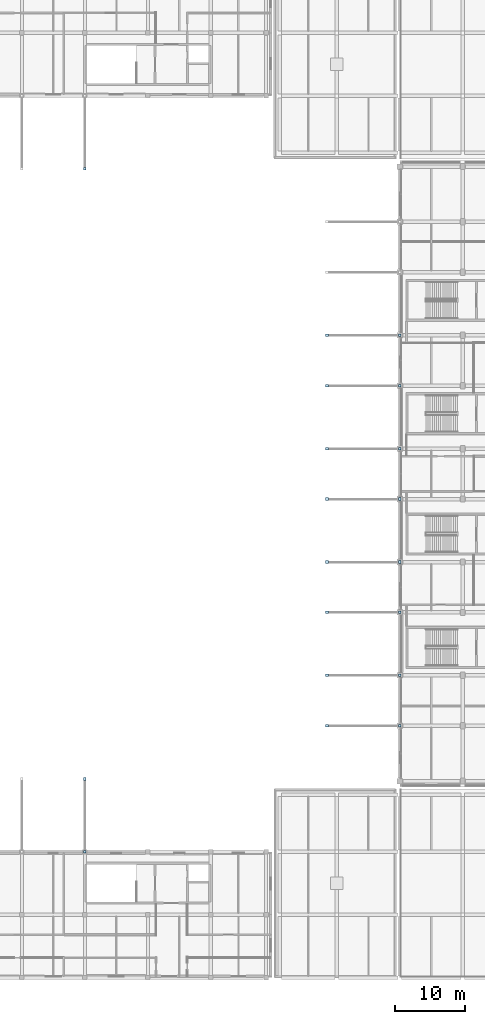
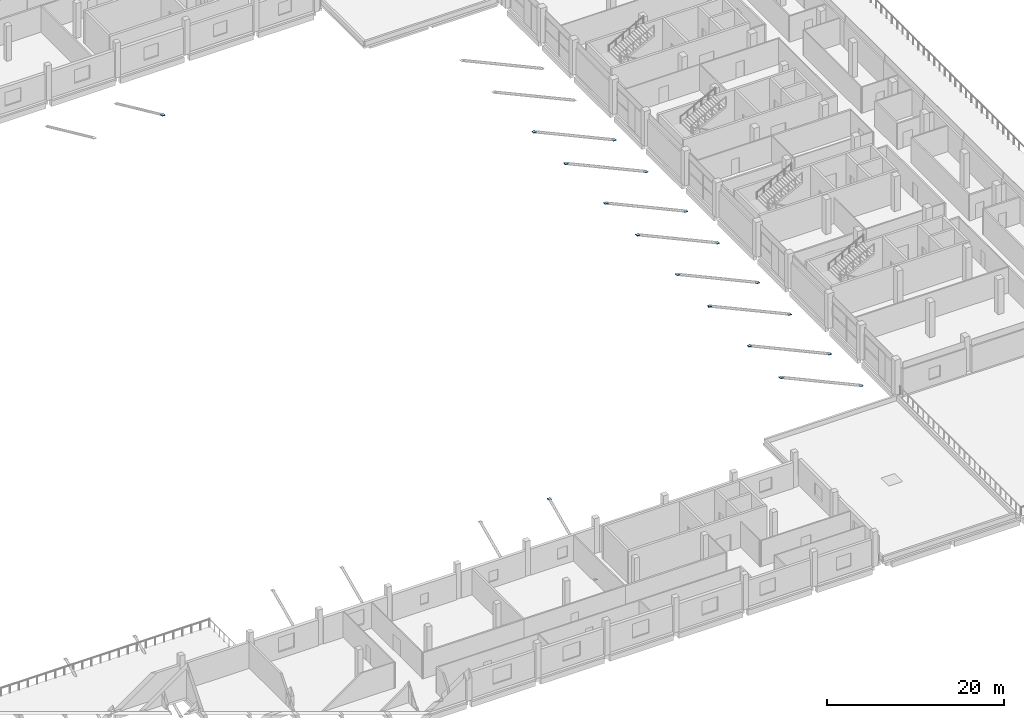
# One storey, part 44 of 82: 19 plates.
"""IFC4 building model written with IfcOpenShell, lengths in metres."""

from ifc_helpers import new_model, si_unit, direction, frame, origin, origin_2d, place, context, subcontext, project, spatial, rectangle, extrude, material, layer, layer_set, type_object, element, save


model = new_model("IFC4")

# Units and contexts
model_context = context("Model", 3, precision=1e-05, world=origin(), true_north=direction((0.0, 1.0)))
body_context = subcontext(model_context, "Body", "Model", "MODEL_VIEW")
ifc_project = project(units=[si_unit("LENGTHUNIT", "METRE"), si_unit("AREAUNIT", "SQUARE_METRE"), si_unit("VOLUMEUNIT", "CUBIC_METRE"), si_unit("PLANEANGLEUNIT", "RADIAN"), si_unit("MASSUNIT", "GRAM", prefix="KILO"), si_unit("THERMODYNAMICTEMPERATUREUNIT", "KELVIN"), si_unit("POWERUNIT", "WATT")], contexts=[model_context])

# Site, building, storey
site_placement = place(None, origin())
site = spatial("IfcSite", under=ifc_project, at=site_placement, CompositionType="ELEMENT")
building_placement = place(site_placement, origin())
building = spatial("IfcBuilding", under=site, at=building_placement, Name="Sindhuravela Promenade Stadium", CompositionType="ELEMENT")
storey_placement = place(building_placement, frame((0.0, 0.0, 14.39990234375)))
storey = spatial("IfcBuildingStorey", under=building, at=storey_placement, Name="L03", CompositionType="ELEMENT", Elevation=14.39990234375)

# Plates
ifc_material = material(Name="Steel E350 (IS 2062 E350BR)", Category="steel")
ifc_layer = layer(ifc_material, 0.033935546875)
ifc_layer_set = layer_set([ifc_layer], Name="Steel E350 (IS 2062 E350BR)")
plate_type = type_object("IfcPlateType", Name="ST-PL-CAP34", PredefinedType="USERDEFINED", material=ifc_layer_set)
for number, where, z_axis, x_axis, name in (
    (1, (180.0, 45.0, -3.81689453125), (0.0, 0.0, 1.0), (1.0, 0.0, 0.0), "Hollow strut end cap plate CP02 3A"),
    (2, (169.60009765625, 45.0, 0.93310546875), (0.0, 0.0, 1.0), (1.0, 0.0, 0.0), "Hollow strut end cap plate CP02 4B"),
    (3, (180.0, 52.199951171875, -3.81689453125), (0.0, 0.0, 1.0), (1.0, 0.0, 0.0), "Hollow strut end cap plate CP02 7A"),
    (4, (169.60009765625, 52.199951171875, 0.93310546875), (0.0, 0.0, 1.0), (1.0, 0.0, 0.0), "Hollow strut end cap plate CP02 8B"),
    (5, (180.0, 61.199951171875, -3.81689453125), (0.0, 0.0, 1.0), (1.0, 0.0, 0.0), "Hollow strut end cap plate CP02 11A"),
    (6, (169.60009765625, 61.199951171875, 0.93310546875), (0.0, 0.0, 1.0), (1.0, 0.0, 0.0), "Hollow strut end cap plate CP02 12B"),
    (7, (180.0, 68.39990234375, -3.81689453125), (0.0, 0.0, 1.0), (1.0, 0.0, 0.0), "Hollow strut end cap plate CP02 15A"),
    (8, (169.60009765625, 68.39990234375, 0.93310546875), (0.0, 0.0, 1.0), (1.0, 0.0, 0.0), "Hollow strut end cap plate CP02 16B"),
    (9, (180.0, 77.39990234375, -3.81689453125), (0.0, 0.0, 1.0), (1.0, 0.0, 0.0), "Hollow strut end cap plate CP02 19A"),
    (10, (169.60009765625, 77.39990234375, 0.93310546875), (0.0, 0.0, 1.0), (1.0, 0.0, 0.0), "Hollow strut end cap plate CP02 20B"),
    (11, (180.0, 84.60009765625, -3.81689453125), (0.0, 0.0, 1.0), (1.0, 0.0, 0.0), "Hollow strut end cap plate CP02 23A"),
    (12, (169.60009765625, 84.60009765625, 0.93310546875), (0.0, 0.0, 1.0), (1.0, 0.0, 0.0), "Hollow strut end cap plate CP02 24B"),
    (13, (180.0, 93.60009765625, -3.81689453125), (0.0, 0.0, 1.0), (1.0, 0.0, 0.0), "Hollow strut end cap plate CP02 27A"),
    (14, (169.60009765625, 93.60009765625, 0.93310546875), (0.0, 0.0, 1.0), (1.0, 0.0, 0.0), "Hollow strut end cap plate CP02 28B"),
    (15, (180.0, 100.800048828125, -3.81689453125), (0.0, 0.0, 1.0), (1.0, 0.0, 0.0), "Hollow strut end cap plate CP02 31A"),
    (16, (169.60009765625, 100.800048828125, 0.93310546875), (0.0, 0.0, 1.0), (1.0, 0.0, 0.0), "Hollow strut end cap plate CP02 32B"),
    (17, (135.0, 27.0, -3.81689453125), (0.0, 0.0, 1.0), (1.0, 0.0, 0.0), "Hollow strut end cap plate CP02 61A"),
    (18, (135.0, 37.39990234375, 0.93310546875), (0.0, 0.0, 1.0), (1.0, 0.0, 0.0), "Hollow strut end cap plate CP02 62B"),
    (19, (135.0, 124.60009765625, 0.93310546875), (0.0, 0.0, 1.0), (1.0, 0.0, 0.0), "Hollow strut end cap plate CP02 64B"),
):
    element("IfcPlate", number, at=place(storey_placement, frame(where, z_axis=z_axis, x_axis=x_axis)), inside=storey, type_object=plate_type, Name=name, ObjectType="GUSSET PLATE", PredefinedType="USERDEFINED", context=body_context, shape_type="SweptSolid", body=[
        extrude(rectangle(XDim=0.3798828125, YDim=0.3798828125, at=origin_2d()), origin(), (0.0, 0.0, 1.0), 0.033935546875),
    ])

save(model, "model.ifc")
